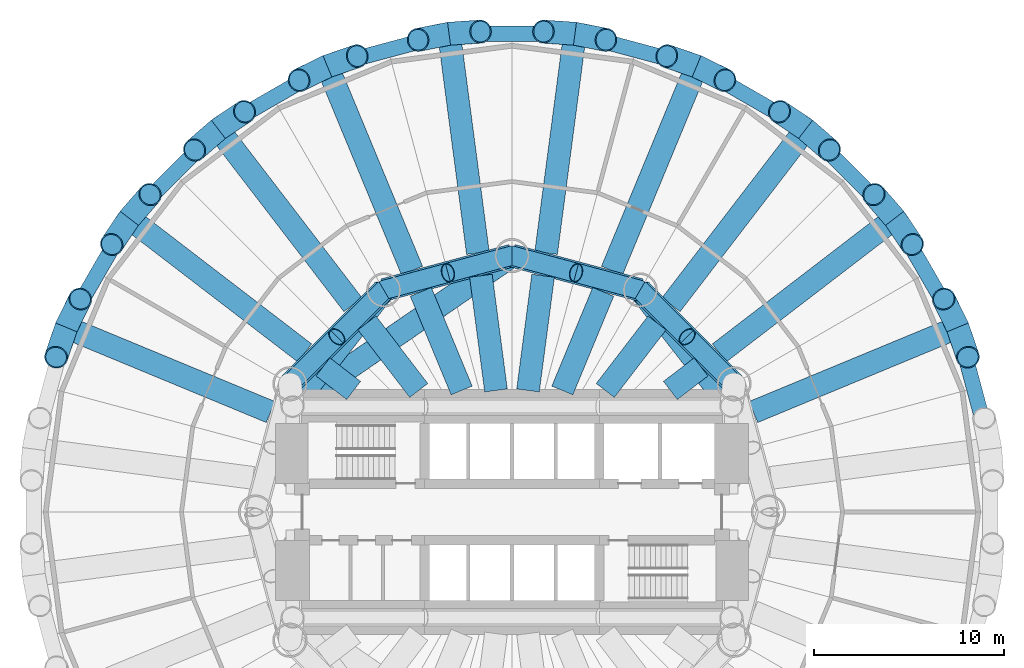
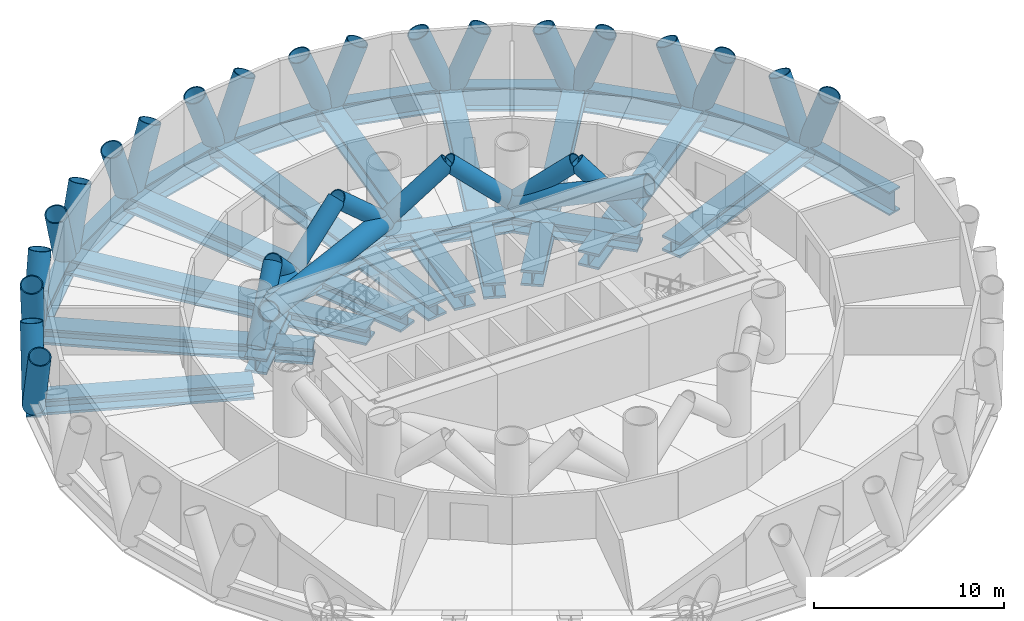
# One storey, part 3 of 7: 32 beams, 31 members.
"""IFC4 building model written with IfcOpenShell, lengths in metres."""

from ifc_helpers import new_model, si_unit, direction, frame, origin, origin_2d, place, context, subcontext, project, spatial, hollow_circle, i_section, extrude, material, material_profile, profile_set, type_object, element, save


model = new_model("IFC4")

# Units and contexts
model_context = context("Model", 3, precision=1e-05, world=origin(), true_north=direction((0.0, 1.0)))
body_context = subcontext(model_context, "Body", "Model", "MODEL_VIEW")
ifc_project = project(units=[si_unit("LENGTHUNIT", "METRE"), si_unit("AREAUNIT", "SQUARE_METRE"), si_unit("VOLUMEUNIT", "CUBIC_METRE"), si_unit("PLANEANGLEUNIT", "RADIAN"), si_unit("MASSUNIT", "GRAM", prefix="KILO")], contexts=[model_context])

# Site, building, storey
site_placement = place(None, origin())
site = spatial("IfcSite", under=ifc_project, at=site_placement, CompositionType="ELEMENT")
building_placement = place(site_placement, origin())
building = spatial("IfcBuilding", under=site, at=building_placement, Name="Qaws Media Tower", CompositionType="ELEMENT")
storey_placement = place(building_placement, frame((0.0, 0.0, 101.60009765625)))
storey = spatial("IfcBuildingStorey", under=building, at=storey_placement, Name="L22", CompositionType="ELEMENT", Elevation=101.60009765625)

# Members
ifc_material_1 = material(Name="Steel S355", Category="steel")
ifc_material_profile_1 = material_profile(ifc_material_1, hollow_circle(Radius=0.508056640625, WallThickness=0.050048828125, at=origin_2d()), Name="CHS 1016x50")
ifc_profile_set_1 = profile_set([ifc_material_profile_1], Name="Steel S355")
member_type_1 = type_object("IfcMemberType", Name="Belt truss diagonal CHS 1016x50", PredefinedType="BRACE", material=ifc_profile_set_1)
for number, where, z_axis, x_axis, name in (
    (1, (71.69140625, 56.75, 0.39990234375), (-0.525947375075, 0.525947375075, 0.668400117672), (-0.707106781187, -0.707106781187, 0.0), "BT1 belt diagonal L22 I02 to bay I02-I03 apex"),
    (2, (66.75, 61.69140625, 0.39990234375), (0.525947375075, -0.525947375075, 0.668400117672), (0.707106781187, 0.707106781187, 0.0), "BT1 belt diagonal L22 I03 to bay I02-I03 apex"),
    (3, (66.75, 61.69140625, 0.39990234375), (-0.718454295502, 0.19250251089, 0.668405721531), (-0.258810593767, -0.965928090778, 0.0), "BT1 belt diagonal L22 I03 to bay I03-I04 apex"),
    (4, (60.0, 63.5, 0.39990234375), (0.718454295502, -0.19250251089, 0.668405721531), (0.258810593767, 0.965928090778, 0.0), "BT1 belt diagonal L22 I04 to bay I03-I04 apex"),
    (5, (60.0, 63.5, 0.39990234375), (-0.718454295502, -0.19250251089, 0.668405721531), (0.258810593767, -0.965928090778, 0.0), "BT1 belt diagonal L22 I04 to bay I04-I05 apex"),
    (6, (53.25, 61.69140625, 0.39990234375), (0.718454295502, 0.19250251089, 0.668405721531), (-0.258810593767, 0.965928090778, 0.0), "BT1 belt diagonal L22 I05 to bay I04-I05 apex"),
    (7, (53.25, 61.69140625, 0.39990234375), (-0.525947375075, -0.525947375075, 0.668400117672), (0.707106781187, -0.707106781187, 0.0), "BT1 belt diagonal L22 I05 to bay I05-I06 apex"),
    (8, (48.30859375, 56.75, 0.39990234375), (0.525947375075, 0.525947375075, 0.668400117672), (-0.707106781187, 0.707106781187, 0.0), "BT1 belt diagonal L22 I06 to bay I05-I06 apex"),
):
    element("IfcMember", number, at=place(storey_placement, frame(where, z_axis=z_axis, x_axis=x_axis)), inside=storey, type_object=member_type_1, Name=name, PredefinedType="BRACE", context=body_context, shape_type="SweptSolid", body=[
        extrude(hollow_circle(Radius=0.508056640625, WallThickness=0.050048828125, at=origin_2d()), origin(), (0.0, 0.0, 1.0), 4.697509765625),
    ])
ifc_material_2 = material(Name="Steel S460", Category="steel")
ifc_material_profile_2 = material_profile(ifc_material_2, hollow_circle(Radius=0.609619140625, WallThickness=0.06005859375, at=origin_2d()), Name="CHS 1219x60")
ifc_profile_set_2 = profile_set([ifc_material_profile_2], Name="Steel S460")
member_type_2 = type_object("IfcMemberType", Name="Diagrid member CHS 1219x60", PredefinedType="USERDEFINED", material=ifc_profile_set_2)
member_1_placement = place(storey_placement, frame((83.466552734375, 59.72021484375, -1.0), z_axis=(-0.158845192173, 0.324271341188, 0.932532199019), x_axis=(-0.898042563448, -0.439908574861, 0.0)))
element("IfcMember", 9, at=member_1_placement, inside=storey, type_object=member_type_2, Name="DG1 diagrid L22 A02", ObjectType="DIAGRID", PredefinedType="USERDEFINED", context=body_context, shape_type="SweptSolid", body=[
    extrude(hollow_circle(Radius=0.609619140625, WallThickness=0.06005859375, at=origin_2d()), origin(), (0.0, 0.0, 1.0), 4.60009765625),
])
member_2_placement = place(storey_placement, frame((83.466552734375, 59.72021484375, -1.0), z_axis=(0.116968678488, -0.341671666109, 0.93251209152), x_axis=(0.946095269319, 0.323888470578, 0.0)))
element("IfcMember", 10, at=member_2_placement, inside=storey, type_object=member_type_2, Name="DG1 diagrid L22 B02", ObjectType="DIAGRID", PredefinedType="USERDEFINED", context=body_context, shape_type="SweptSolid", body=[
    extrude(hollow_circle(Radius=0.609619140625, WallThickness=0.06005859375, at=origin_2d()), origin(), (0.0, 0.0, 1.0), 4.600341796875),
])
member_3_placement = place(storey_placement, frame((80.151123046875, 65.462646484375, -1.0), z_axis=(-0.237390856413, 0.272099915232, 0.932527327976), x_axis=(-0.753531878143, -0.657411369404, 0.0)))
element("IfcMember", 11, at=member_3_placement, inside=storey, type_object=member_type_2, Name="DG1 diagrid L22 A03", ObjectType="DIAGRID", PredefinedType="USERDEFINED", context=body_context, shape_type="SweptSolid", body=[
    extrude(hollow_circle(Radius=0.609619140625, WallThickness=0.06005859375, at=origin_2d()), origin(), (0.0, 0.0, 1.0), 4.60009765625),
])
for number, where, z_axis, x_axis, name in (
    (12, (80.151123046875, 65.462646484375, -1.0), (0.201405781396, -0.299746996923, 0.932516728566), (0.830032592031, 0.557714887882, 0.0), "DG1 diagrid L22 B03"),
    (13, (75.462646484375, 70.151123046875, -1.0), (-0.299746996923, 0.201405781396, 0.932516728566), (-0.557714887882, -0.830032592031, 0.0), "DG1 diagrid L22 A04"),
):
    element("IfcMember", number, at=place(storey_placement, frame(where, z_axis=z_axis, x_axis=x_axis)), inside=storey, type_object=member_type_2, Name=name, ObjectType="DIAGRID", PredefinedType="USERDEFINED", context=body_context, shape_type="SweptSolid", body=[
        extrude(hollow_circle(Radius=0.609619140625, WallThickness=0.06005859375, at=origin_2d()), origin(), (0.0, 0.0, 1.0), 4.600341796875),
    ])
member_4_placement = place(storey_placement, frame((75.462646484375, 70.151123046875, -1.0), z_axis=(0.272099915232, -0.237390856413, 0.932527327976), x_axis=(0.657411369404, 0.753531878143, 0.0)))
element("IfcMember", 14, at=member_4_placement, inside=storey, type_object=member_type_2, Name="DG1 diagrid L22 B04", ObjectType="DIAGRID", PredefinedType="USERDEFINED", context=body_context, shape_type="SweptSolid", body=[
    extrude(hollow_circle(Radius=0.609619140625, WallThickness=0.06005859375, at=origin_2d()), origin(), (0.0, 0.0, 1.0), 4.60009765625),
])
member_5_placement = place(storey_placement, frame((69.72021484375, 73.466552734375, -1.0), z_axis=(-0.341671666109, 0.116968678488, 0.93251209152), x_axis=(-0.323888470578, -0.946095269319, 0.0)))
element("IfcMember", 15, at=member_5_placement, inside=storey, type_object=member_type_2, Name="DG1 diagrid L22 A05", ObjectType="DIAGRID", PredefinedType="USERDEFINED", context=body_context, shape_type="SweptSolid", body=[
    extrude(hollow_circle(Radius=0.609619140625, WallThickness=0.06005859375, at=origin_2d()), origin(), (0.0, 0.0, 1.0), 4.600341796875),
])
member_6_placement = place(storey_placement, frame((69.72021484375, 73.466552734375, -1.0), z_axis=(0.324271341188, -0.158845192173, 0.932532199019), x_axis=(0.439908574861, 0.898042563448, 0.0)))
element("IfcMember", 16, at=member_6_placement, inside=storey, type_object=member_type_2, Name="DG1 diagrid L22 B05", ObjectType="DIAGRID", PredefinedType="USERDEFINED", context=body_context, shape_type="SweptSolid", body=[
    extrude(hollow_circle(Radius=0.609619140625, WallThickness=0.06005859375, at=origin_2d()), origin(), (0.0, 0.0, 1.0), 4.60009765625),
])
member_7_placement = place(storey_placement, frame((63.3154296875, 75.1826171875, -1.0), z_axis=(-0.3602999073, 0.024571933581, 0.932512840061), x_axis=(-0.068040510372, -0.997682559208, 0.0)))
element("IfcMember", 17, at=member_7_placement, inside=storey, type_object=member_type_2, Name="DG1 diagrid L22 A06", ObjectType="DIAGRID", PredefinedType="USERDEFINED", context=body_context, shape_type="SweptSolid", body=[
    extrude(hollow_circle(Radius=0.609619140625, WallThickness=0.06005859375, at=origin_2d()), origin(), (0.0, 0.0, 1.0), 4.600341796875),
])
for number, where, z_axis, x_axis, name in (
    (18, (63.3154296875, 75.1826171875, -1.0), (0.354359164921, -0.069523813995, 0.93252132497), (0.192525459356, 0.98129197872, 0.0), "DG1 diagrid L22 B06"),
    (19, (56.6845703125, 75.1826171875, -1.0), (-0.354359164921, -0.069523813995, 0.93252132497), (0.192525459356, -0.98129197872, 0.0), "DG1 diagrid L22 A07"),
):
    element("IfcMember", number, at=place(storey_placement, frame(where, z_axis=z_axis, x_axis=x_axis)), inside=storey, type_object=member_type_2, Name=name, ObjectType="DIAGRID", PredefinedType="USERDEFINED", context=body_context, shape_type="SweptSolid", body=[
        extrude(hollow_circle(Radius=0.609619140625, WallThickness=0.06005859375, at=origin_2d()), origin(), (0.0, 0.0, 1.0), 4.60009765625),
    ])
member_8_placement = place(storey_placement, frame((56.6845703125, 75.1826171875, -1.0), z_axis=(0.3602999073, 0.024571933581, 0.932512840061), x_axis=(-0.068040510372, 0.997682559208, 0.0)))
element("IfcMember", 20, at=member_8_placement, inside=storey, type_object=member_type_2, Name="DG1 diagrid L22 B07", ObjectType="DIAGRID", PredefinedType="USERDEFINED", context=body_context, shape_type="SweptSolid", body=[
    extrude(hollow_circle(Radius=0.609619140625, WallThickness=0.06005859375, at=origin_2d()), origin(), (0.0, 0.0, 1.0), 4.600341796875),
])
member_9_placement = place(storey_placement, frame((50.27978515625, 73.466552734375, -1.0), z_axis=(-0.324271341188, -0.158845192173, 0.932532199019), x_axis=(0.439908574861, -0.898042563448, 0.0)))
element("IfcMember", 21, at=member_9_placement, inside=storey, type_object=member_type_2, Name="DG1 diagrid L22 A08", ObjectType="DIAGRID", PredefinedType="USERDEFINED", context=body_context, shape_type="SweptSolid", body=[
    extrude(hollow_circle(Radius=0.609619140625, WallThickness=0.06005859375, at=origin_2d()), origin(), (0.0, 0.0, 1.0), 4.60009765625),
])
member_10_placement = place(storey_placement, frame((50.27978515625, 73.466552734375, -1.0), z_axis=(0.341671666109, 0.116968678488, 0.93251209152), x_axis=(-0.323888470578, 0.946095269319, 0.0)))
element("IfcMember", 22, at=member_10_placement, inside=storey, type_object=member_type_2, Name="DG1 diagrid L22 B08", ObjectType="DIAGRID", PredefinedType="USERDEFINED", context=body_context, shape_type="SweptSolid", body=[
    extrude(hollow_circle(Radius=0.609619140625, WallThickness=0.06005859375, at=origin_2d()), origin(), (0.0, 0.0, 1.0), 4.600341796875),
])
member_11_placement = place(storey_placement, frame((44.537353515625, 70.151123046875, -1.0), z_axis=(-0.272099915232, -0.237390856413, 0.932527327976), x_axis=(0.657411369404, -0.753531878143, 0.0)))
element("IfcMember", 23, at=member_11_placement, inside=storey, type_object=member_type_2, Name="DG1 diagrid L22 A09", ObjectType="DIAGRID", PredefinedType="USERDEFINED", context=body_context, shape_type="SweptSolid", body=[
    extrude(hollow_circle(Radius=0.609619140625, WallThickness=0.06005859375, at=origin_2d()), origin(), (0.0, 0.0, 1.0), 4.60009765625),
])
for number, where, z_axis, x_axis, name in (
    (24, (44.537353515625, 70.151123046875, -1.0), (0.299746996923, 0.201405781396, 0.932516728566), (-0.557714887882, 0.830032592031, 0.0), "DG1 diagrid L22 B09"),
    (25, (39.848876953125, 65.462646484375, -1.0), (-0.201405781396, -0.299746996923, 0.932516728566), (0.830032592031, -0.557714887882, 0.0), "DG1 diagrid L22 A10"),
):
    element("IfcMember", number, at=place(storey_placement, frame(where, z_axis=z_axis, x_axis=x_axis)), inside=storey, type_object=member_type_2, Name=name, ObjectType="DIAGRID", PredefinedType="USERDEFINED", context=body_context, shape_type="SweptSolid", body=[
        extrude(hollow_circle(Radius=0.609619140625, WallThickness=0.06005859375, at=origin_2d()), origin(), (0.0, 0.0, 1.0), 4.600341796875),
    ])
member_12_placement = place(storey_placement, frame((39.848876953125, 65.462646484375, -1.0), z_axis=(0.237390856413, 0.272099915232, 0.932527327976), x_axis=(-0.753531878143, 0.657411369404, 0.0)))
element("IfcMember", 26, at=member_12_placement, inside=storey, type_object=member_type_2, Name="DG1 diagrid L22 B10", ObjectType="DIAGRID", PredefinedType="USERDEFINED", context=body_context, shape_type="SweptSolid", body=[
    extrude(hollow_circle(Radius=0.609619140625, WallThickness=0.06005859375, at=origin_2d()), origin(), (0.0, 0.0, 1.0), 4.60009765625),
])
member_13_placement = place(storey_placement, frame((36.533447265625, 59.72021484375, -1.0), z_axis=(-0.116968678488, -0.341671666109, 0.93251209152), x_axis=(0.946095269319, -0.323888470578, 0.0)))
element("IfcMember", 27, at=member_13_placement, inside=storey, type_object=member_type_2, Name="DG1 diagrid L22 A11", ObjectType="DIAGRID", PredefinedType="USERDEFINED", context=body_context, shape_type="SweptSolid", body=[
    extrude(hollow_circle(Radius=0.609619140625, WallThickness=0.06005859375, at=origin_2d()), origin(), (0.0, 0.0, 1.0), 4.600341796875),
])
member_14_placement = place(storey_placement, frame((36.533447265625, 59.72021484375, -1.0), z_axis=(0.158845192173, 0.324271341188, 0.932532199019), x_axis=(-0.898042563448, 0.439908574861, 0.0)))
element("IfcMember", 28, at=member_14_placement, inside=storey, type_object=member_type_2, Name="DG1 diagrid L22 B11", ObjectType="DIAGRID", PredefinedType="USERDEFINED", context=body_context, shape_type="SweptSolid", body=[
    extrude(hollow_circle(Radius=0.609619140625, WallThickness=0.06005859375, at=origin_2d()), origin(), (0.0, 0.0, 1.0), 4.60009765625),
])

# Beams
ifc_material_3 = material(Name="Steel S460", Category="steel")
ifc_material_profile_3 = material_profile(ifc_material_3, i_section(OverallWidth=0.800048828125, OverallDepth=1.5, WebThickness=0.0400390625, FlangeThickness=0.10009765625, at=origin_2d()), Name="PG 1500x800")
ifc_profile_set_3 = profile_set([ifc_material_profile_3], Name="Steel S460")
beam_type_1 = type_object("IfcBeamType", Name="Edge ring beam PG 1500x800", PredefinedType="BEAM", material=ifc_profile_set_3)
beam_1_placement = place(storey_placement, frame((85.1826171875, 53.3154296875, -1.0), z_axis=(-0.258806021256, 0.965929315924, 0.0), x_axis=(-0.965929315924, -0.258806021256, 0.0)))
element("IfcBeam", 29, at=beam_1_placement, inside=storey, type_object=beam_type_1, Name="RB7 edge ring beam L22-01", PredefinedType="BEAM", context=body_context, shape_type="SweptSolid", body=[
    extrude(i_section(OverallWidth=0.800048828125, OverallDepth=1.5, WebThickness=0.0400390625, FlangeThickness=0.10009765625, at=origin_2d()), origin(), (0.0, 0.0, 1.0), 6.630615234375),
])
beam_2_placement = place(storey_placement, frame((83.466552734375, 59.72021484375, -1.0), z_axis=(-0.500003985254, 0.866023102884, 0.0), x_axis=(-0.866023102884, -0.500003985254, 0.0)))
element("IfcBeam", 30, at=beam_2_placement, inside=storey, type_object=beam_type_1, Name="RB7 edge ring beam L22-02", PredefinedType="BEAM", context=body_context, shape_type="SweptSolid", body=[
    extrude(i_section(OverallWidth=0.800048828125, OverallDepth=1.5, WebThickness=0.0400390625, FlangeThickness=0.10009765625, at=origin_2d()), origin(), (0.0, 0.0, 1.0), 6.630859375),
])
beam_3_placement = place(storey_placement, frame((80.151123046875, 65.462646484375, -1.0), z_axis=(-0.707106781187, 0.707106781187, 0.0), x_axis=(-0.707106781187, -0.707106781187, 0.0)))
element("IfcBeam", 31, at=beam_3_placement, inside=storey, type_object=beam_type_1, Name="RB7 edge ring beam L22-03", PredefinedType="BEAM", context=body_context, shape_type="SweptSolid", body=[
    extrude(i_section(OverallWidth=0.800048828125, OverallDepth=1.5, WebThickness=0.0400390625, FlangeThickness=0.10009765625, at=origin_2d()), origin(), (0.0, 0.0, 1.0), 6.630615234375),
])
beam_4_placement = place(storey_placement, frame((75.462646484375, 70.151123046875, -1.0), z_axis=(-0.866023102884, 0.500003985254, 0.0), x_axis=(-0.500003985254, -0.866023102884, 0.0)))
element("IfcBeam", 32, at=beam_4_placement, inside=storey, type_object=beam_type_1, Name="RB7 edge ring beam L22-04", PredefinedType="BEAM", context=body_context, shape_type="SweptSolid", body=[
    extrude(i_section(OverallWidth=0.800048828125, OverallDepth=1.5, WebThickness=0.0400390625, FlangeThickness=0.10009765625, at=origin_2d()), origin(), (0.0, 0.0, 1.0), 6.630859375),
])
beam_5_placement = place(storey_placement, frame((69.72021484375, 73.466552734375, -1.0), z_axis=(-0.965929315924, 0.258806021256, 0.0), x_axis=(-0.258806021256, -0.965929315924, 0.0)))
element("IfcBeam", 33, at=beam_5_placement, inside=storey, type_object=beam_type_1, Name="RB7 edge ring beam L22-05", PredefinedType="BEAM", context=body_context, shape_type="SweptSolid", body=[
    extrude(i_section(OverallWidth=0.800048828125, OverallDepth=1.5, WebThickness=0.0400390625, FlangeThickness=0.10009765625, at=origin_2d()), origin(), (0.0, 0.0, 1.0), 6.630615234375),
])
beam_6_placement = place(storey_placement, frame((63.3154296875, 75.1826171875, -1.0), z_axis=(-1.0, 0.0, 0.0), x_axis=(0.0, -1.0, 0.0)))
element("IfcBeam", 34, at=beam_6_placement, inside=storey, type_object=beam_type_1, Name="RB7 edge ring beam L22-06", PredefinedType="BEAM", context=body_context, shape_type="SweptSolid", body=[
    extrude(i_section(OverallWidth=0.800048828125, OverallDepth=1.5, WebThickness=0.0400390625, FlangeThickness=0.10009765625, at=origin_2d()), origin(), (0.0, 0.0, 1.0), 6.630859375),
])
beam_7_placement = place(storey_placement, frame((56.6845703125, 75.1826171875, -1.0), z_axis=(-0.965929315924, -0.258806021256, 0.0), x_axis=(0.258806021256, -0.965929315924, 0.0)))
element("IfcBeam", 35, at=beam_7_placement, inside=storey, type_object=beam_type_1, Name="RB7 edge ring beam L22-07", PredefinedType="BEAM", context=body_context, shape_type="SweptSolid", body=[
    extrude(i_section(OverallWidth=0.800048828125, OverallDepth=1.5, WebThickness=0.0400390625, FlangeThickness=0.10009765625, at=origin_2d()), origin(), (0.0, 0.0, 1.0), 6.630615234375),
])
beam_8_placement = place(storey_placement, frame((50.27978515625, 73.466552734375, -1.0), z_axis=(-0.866023102884, -0.500003985254, 0.0), x_axis=(0.500003985254, -0.866023102884, 0.0)))
element("IfcBeam", 36, at=beam_8_placement, inside=storey, type_object=beam_type_1, Name="RB7 edge ring beam L22-08", PredefinedType="BEAM", context=body_context, shape_type="SweptSolid", body=[
    extrude(i_section(OverallWidth=0.800048828125, OverallDepth=1.5, WebThickness=0.0400390625, FlangeThickness=0.10009765625, at=origin_2d()), origin(), (0.0, 0.0, 1.0), 6.630859375),
])
beam_9_placement = place(storey_placement, frame((44.537353515625, 70.151123046875, -1.0), z_axis=(-0.707106781187, -0.707106781187, 0.0), x_axis=(0.707106781187, -0.707106781187, 0.0)))
element("IfcBeam", 37, at=beam_9_placement, inside=storey, type_object=beam_type_1, Name="RB7 edge ring beam L22-09", PredefinedType="BEAM", context=body_context, shape_type="SweptSolid", body=[
    extrude(i_section(OverallWidth=0.800048828125, OverallDepth=1.5, WebThickness=0.0400390625, FlangeThickness=0.10009765625, at=origin_2d()), origin(), (0.0, 0.0, 1.0), 6.630615234375),
])
beam_10_placement = place(storey_placement, frame((39.848876953125, 65.462646484375, -1.0), z_axis=(-0.500003985254, -0.866023102884, 0.0), x_axis=(0.866023102884, -0.500003985254, 0.0)))
element("IfcBeam", 38, at=beam_10_placement, inside=storey, type_object=beam_type_1, Name="RB7 edge ring beam L22-10", PredefinedType="BEAM", context=body_context, shape_type="SweptSolid", body=[
    extrude(i_section(OverallWidth=0.800048828125, OverallDepth=1.5, WebThickness=0.0400390625, FlangeThickness=0.10009765625, at=origin_2d()), origin(), (0.0, 0.0, 1.0), 6.630859375),
])
ifc_material_4 = material(Name="Steel S460", Category="steel")
ifc_material_profile_4 = material_profile(ifc_material_4, i_section(OverallWidth=1.199951171875, OverallDepth=1.0, WebThickness=0.06005859375, FlangeThickness=0.14990234375, at=origin_2d()), Name="PG 1000x1200")
ifc_profile_set_4 = profile_set([ifc_material_profile_4], Name="Steel S460")
beam_type_2 = type_object("IfcBeamType", Name="Inner ring girder PG 1000x1200", PredefinedType="BEAM", material=ifc_profile_set_4)
beam_11_placement = place(storey_placement, frame((71.69140625, 56.75, -0.75), z_axis=(-0.707106781187, 0.707106781187, 0.0), x_axis=(-0.707106781187, -0.707106781187, 0.0)))
element("IfcBeam", 39, at=beam_11_placement, inside=storey, type_object=beam_type_2, Name="B3 inner ring beam L22 I02-I03", PredefinedType="BEAM", context=body_context, shape_type="SweptSolid", body=[
    extrude(i_section(OverallWidth=1.199951171875, OverallDepth=1.0, WebThickness=0.06005859375, FlangeThickness=0.14990234375, at=origin_2d()), origin(), (0.0, 0.0, 1.0), 6.98828125),
])
for number, where, z_axis, x_axis, name in (
    (40, (66.75, 61.69140625, -0.75), (-0.965928090778, 0.258810593767, 0.0), (-0.258810593767, -0.965928090778, 0.0), "B3 inner ring beam L22 I03-I04"),
    (41, (60.0, 63.5, -0.75), (-0.965928090778, -0.258810593767, 0.0), (0.258810593767, -0.965928090778, 0.0), "B3 inner ring beam L22 I04-I05"),
):
    element("IfcBeam", number, at=place(storey_placement, frame(where, z_axis=z_axis, x_axis=x_axis)), inside=storey, type_object=beam_type_2, Name=name, PredefinedType="BEAM", context=body_context, shape_type="SweptSolid", body=[
        extrude(i_section(OverallWidth=1.199951171875, OverallDepth=1.0, WebThickness=0.06005859375, FlangeThickness=0.14990234375, at=origin_2d()), origin(), (0.0, 0.0, 1.0), 6.988037109375),
    ])
beam_12_placement = place(storey_placement, frame((53.25, 61.69140625, -0.75), z_axis=(-0.707106781187, -0.707106781187, 0.0), x_axis=(0.707106781187, -0.707106781187, 0.0)))
element("IfcBeam", 42, at=beam_12_placement, inside=storey, type_object=beam_type_2, Name="B3 inner ring beam L22 I05-I06", PredefinedType="BEAM", context=body_context, shape_type="SweptSolid", body=[
    extrude(i_section(OverallWidth=1.199951171875, OverallDepth=1.0, WebThickness=0.06005859375, FlangeThickness=0.14990234375, at=origin_2d()), origin(), (0.0, 0.0, 1.0), 6.98828125),
])

# Members
ifc_material_5 = material(Name="Steel S355", Category="steel")
ifc_material_profile_5 = material_profile(ifc_material_5, hollow_circle(Radius=0.609619140625, WallThickness=0.06005859375, at=origin_2d()), Name="CHS 1219x60")
ifc_profile_set_5 = profile_set([ifc_material_profile_5], Name="Steel S355")
member_type_3 = type_object("IfcMemberType", Name="Outrigger diagonal CHS 1219x60", PredefinedType="BRACE", material=ifc_profile_set_5)
member_15_placement = place(storey_placement, frame((71.550048828125, 55.550048828125, 3.449951171875), z_axis=(-0.573471740928, 0.73372064712, -0.36439562888), x_axis=(-0.787892820552, -0.615812392959, 0.0)))
element("IfcMember", 43, at=member_15_placement, inside=storey, type_object=member_type_3, Name="OT1 outrigger diagonal L22 I03", PredefinedType="BRACE", context=body_context, shape_type="SweptSolid", body=[
    extrude(hollow_circle(Radius=0.609619140625, WallThickness=0.06005859375, at=origin_2d()), origin(), (0.0, 0.0, 1.0), 8.3701171875),
])
member_16_placement = place(storey_placement, frame((48.449951171875, 55.550048828125, 3.449951171875), z_axis=(0.804909498684, 0.554022871032, -0.212554363167), x_axis=(-0.566978765133, 0.823732407938, 0.0)))
element("IfcMember", 44, at=member_16_placement, inside=storey, type_object=member_type_3, Name="OT1 outrigger diagonal L22 I04", PredefinedType="BRACE", context=body_context, shape_type="SweptSolid", body=[
    extrude(hollow_circle(Radius=0.609619140625, WallThickness=0.06005859375, at=origin_2d()), origin(), (0.0, 0.0, 1.0), 14.349609375),
])
member_17_placement = place(storey_placement, frame((48.449951171875, 55.550048828125, 3.449951171875), z_axis=(0.573471740928, 0.73372064712, -0.36439562888), x_axis=(-0.787892820552, 0.615812392959, 0.0)))
element("IfcMember", 45, at=member_17_placement, inside=storey, type_object=member_type_3, Name="OT1 outrigger diagonal L22 I05", PredefinedType="BRACE", context=body_context, shape_type="SweptSolid", body=[
    extrude(hollow_circle(Radius=0.609619140625, WallThickness=0.06005859375, at=origin_2d()), origin(), (0.0, 0.0, 1.0), 8.3701171875),
])

# Beams
ifc_material_6 = material(Name="Steel S355", Category="steel")
ifc_material_profile_6 = material_profile(ifc_material_6, i_section(OverallWidth=1.199951171875, OverallDepth=1.0, WebThickness=0.06005859375, FlangeThickness=0.14990234375, at=origin_2d()), Name="PG 1000x1200")
ifc_profile_set_6 = profile_set([ifc_material_profile_6], Name="Steel S355")
beam_type_3 = type_object("IfcBeamType", Name="Plant floor beam PG 1000x1200", PredefinedType="BEAM", material=ifc_profile_set_6)
beam_13_placement = place(storey_placement, frame((72.71044921875, 55.264892578125, -0.75), z_axis=(0.923879583798, 0.382683308549, 0.0), x_axis=(-0.382683308549, 0.923879583798, 0.0)))
element("IfcBeam", 46, at=beam_13_placement, inside=storey, type_object=beam_type_3, Name="B1 radial beam L22 02", PredefinedType="BEAM", context=body_context, shape_type="SweptSolid", body=[
    extrude(i_section(OverallWidth=1.199951171875, OverallDepth=1.0, WebThickness=0.06005859375, FlangeThickness=0.14990234375, at=origin_2d()), origin(), (0.0, 0.0, 1.0), 11.642333984375),
])
beam_14_placement = place(storey_placement, frame((70.914794921875, 58.375244140625, -0.75), z_axis=(0.793348424287, 0.608767835617, 0.0), x_axis=(-0.608767835617, 0.793348424287, 0.0)))
element("IfcBeam", 47, at=beam_14_placement, inside=storey, type_object=beam_type_3, Name="B1 radial beam L22 03", PredefinedType="BEAM", context=body_context, shape_type="SweptSolid", body=[
    extrude(i_section(OverallWidth=1.199951171875, OverallDepth=1.0, WebThickness=0.06005859375, FlangeThickness=0.14990234375, at=origin_2d()), origin(), (0.0, 0.0, 1.0), 11.64208984375),
])
beam_15_placement = place(storey_placement, frame((68.340576171875, 56.39990234375, -0.75), z_axis=(0.793341674391, 0.608776632005, 0.0), x_axis=(-0.608776632005, 0.793341674391, 0.0)))
element("IfcBeam", 48, at=beam_15_placement, inside=storey, type_object=beam_type_3, Name="B6 radial beam L22 03", PredefinedType="BEAM", context=body_context, shape_type="SweptSolid", body=[
    extrude(i_section(OverallWidth=1.199951171875, OverallDepth=1.0, WebThickness=0.06005859375, FlangeThickness=0.14990234375, at=origin_2d()), origin(), (0.0, 0.0, 1.0), 2.034423828125),
])
beam_16_placement = place(storey_placement, frame((68.375244140625, 60.914794921875, -0.75), z_axis=(0.608767835617, 0.793348424287, 0.0), x_axis=(-0.793348424287, 0.608767835617, 0.0)))
element("IfcBeam", 49, at=beam_16_placement, inside=storey, type_object=beam_type_3, Name="B1 radial beam L22 04", PredefinedType="BEAM", context=body_context, shape_type="SweptSolid", body=[
    extrude(i_section(OverallWidth=1.199951171875, OverallDepth=1.0, WebThickness=0.06005859375, FlangeThickness=0.14990234375, at=origin_2d()), origin(), (0.0, 0.0, 1.0), 11.64208984375),
])
beam_17_placement = place(storey_placement, frame((64.910888671875, 56.39990234375, -0.75), z_axis=(0.608751793694, 0.793360733636, 0.0), x_axis=(-0.793360733636, 0.608751793694, 0.0)))
element("IfcBeam", 50, at=beam_17_placement, inside=storey, type_object=beam_type_3, Name="B6 radial beam L22 04", PredefinedType="BEAM", context=body_context, shape_type="SweptSolid", body=[
    extrude(i_section(OverallWidth=1.199951171875, OverallDepth=1.0, WebThickness=0.06005859375, FlangeThickness=0.14990234375, at=origin_2d()), origin(), (0.0, 0.0, 1.0), 4.48046875),
])
beam_18_placement = place(storey_placement, frame((65.264892578125, 62.71044921875, -0.75), z_axis=(0.382683308549, 0.923879583798, 0.0), x_axis=(-0.923879583798, 0.382683308549, 0.0)))
element("IfcBeam", 51, at=beam_18_placement, inside=storey, type_object=beam_type_3, Name="B1 radial beam L22 05", PredefinedType="BEAM", context=body_context, shape_type="SweptSolid", body=[
    extrude(i_section(OverallWidth=1.199951171875, OverallDepth=1.0, WebThickness=0.06005859375, FlangeThickness=0.14990234375, at=origin_2d()), origin(), (0.0, 0.0, 1.0), 11.642333984375),
])
beam_19_placement = place(storey_placement, frame((62.65087890625, 56.39990234375, -0.75), z_axis=(0.382702192078, 0.923871761761, 0.0), x_axis=(-0.923871761761, 0.382702192078, 0.0)))
element("IfcBeam", 52, at=beam_19_placement, inside=storey, type_object=beam_type_3, Name="B6 radial beam L22 05", PredefinedType="BEAM", context=body_context, shape_type="SweptSolid", body=[
    extrude(i_section(OverallWidth=1.199951171875, OverallDepth=1.0, WebThickness=0.06005859375, FlangeThickness=0.14990234375, at=origin_2d()), origin(), (0.0, 0.0, 1.0), 5.620361328125),
])
beam_20_placement = place(storey_placement, frame((61.795654296875, 63.639892578125, -0.75), z_axis=(0.130538592173, 0.99144322881, 0.0), x_axis=(-0.99144322881, 0.130538592173, 0.0)))
element("IfcBeam", 53, at=beam_20_placement, inside=storey, type_object=beam_type_3, Name="B1 radial beam L22 06", PredefinedType="BEAM", context=body_context, shape_type="SweptSolid", body=[
    extrude(i_section(OverallWidth=1.199951171875, OverallDepth=1.0, WebThickness=0.06005859375, FlangeThickness=0.14990234375, at=origin_2d()), origin(), (0.0, 0.0, 1.0), 11.642333984375),
])
beam_21_placement = place(storey_placement, frame((60.842529296875, 56.39990234375, -0.75), z_axis=(0.130522930957, 0.991445290722, 0.0), x_axis=(-0.991445290722, 0.130522930957, 0.0)))
element("IfcBeam", 54, at=beam_21_placement, inside=storey, type_object=beam_type_3, Name="B6 radial beam L22 06", PredefinedType="BEAM", context=body_context, shape_type="SweptSolid", body=[
    extrude(i_section(OverallWidth=1.199951171875, OverallDepth=1.0, WebThickness=0.06005859375, FlangeThickness=0.14990234375, at=origin_2d()), origin(), (0.0, 0.0, 1.0), 6.092041015625),
])
beam_22_placement = place(storey_placement, frame((58.204345703125, 63.639892578125, -0.75), z_axis=(-0.130538592173, 0.99144322881, 0.0), x_axis=(-0.99144322881, -0.130538592173, 0.0)))
element("IfcBeam", 55, at=beam_22_placement, inside=storey, type_object=beam_type_3, Name="B1 radial beam L22 07", PredefinedType="BEAM", context=body_context, shape_type="SweptSolid", body=[
    extrude(i_section(OverallWidth=1.199951171875, OverallDepth=1.0, WebThickness=0.06005859375, FlangeThickness=0.14990234375, at=origin_2d()), origin(), (0.0, 0.0, 1.0), 11.642333984375),
])
beam_23_placement = place(storey_placement, frame((59.157470703125, 56.39990234375, -0.75), z_axis=(-0.130522930957, 0.991445290722, 0.0), x_axis=(-0.991445290722, -0.130522930957, 0.0)))
element("IfcBeam", 56, at=beam_23_placement, inside=storey, type_object=beam_type_3, Name="B6 radial beam L22 07", PredefinedType="BEAM", context=body_context, shape_type="SweptSolid", body=[
    extrude(i_section(OverallWidth=1.199951171875, OverallDepth=1.0, WebThickness=0.06005859375, FlangeThickness=0.14990234375, at=origin_2d()), origin(), (0.0, 0.0, 1.0), 6.092041015625),
])
beam_24_placement = place(storey_placement, frame((54.735107421875, 62.71044921875, -0.75), z_axis=(-0.382683308549, 0.923879583798, 0.0), x_axis=(-0.923879583798, -0.382683308549, 0.0)))
element("IfcBeam", 57, at=beam_24_placement, inside=storey, type_object=beam_type_3, Name="B1 radial beam L22 08", PredefinedType="BEAM", context=body_context, shape_type="SweptSolid", body=[
    extrude(i_section(OverallWidth=1.199951171875, OverallDepth=1.0, WebThickness=0.06005859375, FlangeThickness=0.14990234375, at=origin_2d()), origin(), (0.0, 0.0, 1.0), 11.642333984375),
])
beam_25_placement = place(storey_placement, frame((57.34912109375, 56.39990234375, -0.75), z_axis=(-0.382702192078, 0.923871761761, 0.0), x_axis=(-0.923871761761, -0.382702192078, 0.0)))
element("IfcBeam", 58, at=beam_25_placement, inside=storey, type_object=beam_type_3, Name="B6 radial beam L22 08", PredefinedType="BEAM", context=body_context, shape_type="SweptSolid", body=[
    extrude(i_section(OverallWidth=1.199951171875, OverallDepth=1.0, WebThickness=0.06005859375, FlangeThickness=0.14990234375, at=origin_2d()), origin(), (0.0, 0.0, 1.0), 5.620361328125),
])
beam_26_placement = place(storey_placement, frame((51.624755859375, 60.914794921875, -0.75), z_axis=(-0.608767835617, 0.793348424287, 0.0), x_axis=(-0.793348424287, -0.608767835617, 0.0)))
element("IfcBeam", 59, at=beam_26_placement, inside=storey, type_object=beam_type_3, Name="B1 radial beam L22 09", PredefinedType="BEAM", context=body_context, shape_type="SweptSolid", body=[
    extrude(i_section(OverallWidth=1.199951171875, OverallDepth=1.0, WebThickness=0.06005859375, FlangeThickness=0.14990234375, at=origin_2d()), origin(), (0.0, 0.0, 1.0), 11.64208984375),
])
beam_27_placement = place(storey_placement, frame((55.089111328125, 56.39990234375, -0.75), z_axis=(-0.608751793694, 0.793360733636, 0.0), x_axis=(-0.793360733636, -0.608751793694, 0.0)))
element("IfcBeam", 60, at=beam_27_placement, inside=storey, type_object=beam_type_3, Name="B6 radial beam L22 09", PredefinedType="BEAM", context=body_context, shape_type="SweptSolid", body=[
    extrude(i_section(OverallWidth=1.199951171875, OverallDepth=1.0, WebThickness=0.06005859375, FlangeThickness=0.14990234375, at=origin_2d()), origin(), (0.0, 0.0, 1.0), 4.48046875),
])
beam_28_placement = place(storey_placement, frame((49.085205078125, 58.375244140625, -0.75), z_axis=(-0.793348424287, 0.608767835617, 0.0), x_axis=(-0.608767835617, -0.793348424287, 0.0)))
element("IfcBeam", 61, at=beam_28_placement, inside=storey, type_object=beam_type_3, Name="B1 radial beam L22 10", PredefinedType="BEAM", context=body_context, shape_type="SweptSolid", body=[
    extrude(i_section(OverallWidth=1.199951171875, OverallDepth=1.0, WebThickness=0.06005859375, FlangeThickness=0.14990234375, at=origin_2d()), origin(), (0.0, 0.0, 1.0), 11.64208984375),
])
beam_29_placement = place(storey_placement, frame((51.659423828125, 56.39990234375, -0.75), z_axis=(-0.793341674391, 0.608776632005, 0.0), x_axis=(-0.608776632005, -0.793341674391, 0.0)))
element("IfcBeam", 62, at=beam_29_placement, inside=storey, type_object=beam_type_3, Name="B6 radial beam L22 10", PredefinedType="BEAM", context=body_context, shape_type="SweptSolid", body=[
    extrude(i_section(OverallWidth=1.199951171875, OverallDepth=1.0, WebThickness=0.06005859375, FlangeThickness=0.14990234375, at=origin_2d()), origin(), (0.0, 0.0, 1.0), 2.034423828125),
])
beam_30_placement = place(storey_placement, frame((47.28955078125, 55.264892578125, -0.75), z_axis=(-0.923879583798, 0.382683308549, 0.0), x_axis=(-0.382683308549, -0.923879583798, 0.0)))
element("IfcBeam", 63, at=beam_30_placement, inside=storey, type_object=beam_type_3, Name="B1 radial beam L22 11", PredefinedType="BEAM", context=body_context, shape_type="SweptSolid", body=[
    extrude(i_section(OverallWidth=1.199951171875, OverallDepth=1.0, WebThickness=0.06005859375, FlangeThickness=0.14990234375, at=origin_2d()), origin(), (0.0, 0.0, 1.0), 11.642333984375),
])

save(model, "model.ifc")
